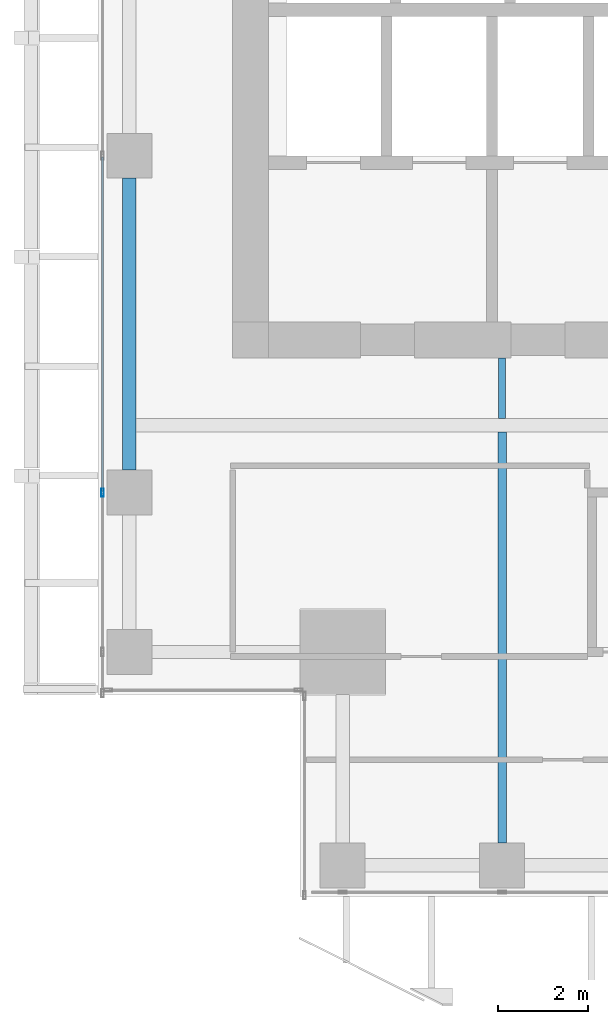
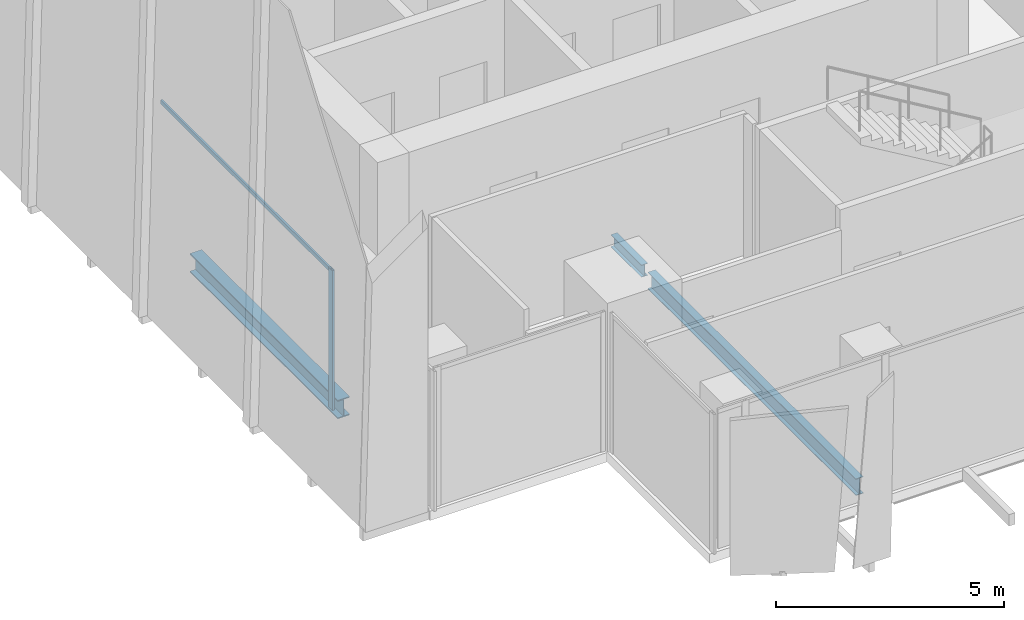
# One storey, part 4 of 35: 3 beams, 2 members, 1 element without a shape of its own.
"""IFC4 building model written with IfcOpenShell, lengths in metres."""

from ifc_helpers import new_model, si_unit, direction, frame, origin, origin_2d, place, context, subcontext, project, spatial, hollow_rectangle, i_section, extrude, source, transform, mapped, material, material_profile, profile_set, type_object, element, aggregate, save


model = new_model("IFC4")

# Units and contexts
model_context = context("Model", 3, precision=1e-05, world=origin(), true_north=direction((0.0, 1.0)))
body_context = subcontext(model_context, "Body", "Model", "MODEL_VIEW")
ifc_project = project(units=[si_unit("LENGTHUNIT", "METRE"), si_unit("AREAUNIT", "SQUARE_METRE"), si_unit("VOLUMEUNIT", "CUBIC_METRE"), si_unit("PLANEANGLEUNIT", "RADIAN"), si_unit("MASSUNIT", "GRAM", prefix="KILO")], contexts=[model_context])

# Site, building, storey
site_placement = place(None, origin())
site = spatial("IfcSite", under=ifc_project, at=site_placement, CompositionType="ELEMENT")
building_placement = place(site_placement, origin())
building = spatial("IfcBuilding", under=site, at=building_placement, Name="Khomas Fold Tower", CompositionType="ELEMENT")
storey_placement = place(building_placement, frame((0.0, 0.0, 200.699951171875)))
storey = spatial("IfcBuildingStorey", under=building, at=storey_placement, Name="L44", CompositionType="ELEMENT", Elevation=200.699951171875)

# Beams
ifc_material_1 = material(Name="Steel S355", Category="steel")
ifc_material_profile_1 = material_profile(ifc_material_1, i_section(OverallWidth=0.300048828125, OverallDepth=0.5, WebThickness=0.014404296875, FlangeThickness=0.028076171875, at=origin_2d()), Name="HE 500 B")
ifc_profile_set_1 = profile_set([ifc_material_profile_1], Name="Steel S355")
beam_type_1 = type_object("IfcBeamType", Name="HE 500 B spandrel SB3", PredefinedType="SPANDREL", material=ifc_profile_set_1)
shared_shape_1 = source(origin(), body_context, "Body", "SweptSolid", [
    extrude(i_section(OverallWidth=0.300048828125, OverallDepth=0.5, WebThickness=0.014404296875, FlangeThickness=0.028076171875, at=origin_2d()), origin(), (0.0, 0.0, 1.0), 6.5),
])
beam_1_placement = place(storey_placement, frame((3.699951171875, 12.5, -0.5), z_axis=(0.0, 1.0, 0.0), x_axis=(-1.0, 0.0, 0.0)))
element("IfcBeam", 1, at=beam_1_placement, inside=storey, type_object=beam_type_1, Name="SB3", PredefinedType="SPANDREL", context=body_context, shape_type="MappedRepresentation", body=[
    mapped(shared_shape_1, transform((0.0, 0.0, 0.0))),
])
ifc_material_2 = material(Name="Steel S355", Category="steel")
ifc_material_profile_2 = material_profile(ifc_material_2, i_section(OverallWidth=0.18994140625, OverallDepth=0.449951171875, WebThickness=0.009521484375, FlangeThickness=0.0146484375, at=origin_2d()), Name="IPE 450")
ifc_profile_set_2 = profile_set([ifc_material_profile_2], Name="Steel S355")
beam_type_2 = type_object("IfcBeamType", Name="IPE 450 beam JB4", PredefinedType="BEAM", material=ifc_profile_set_2)
shared_shape_2 = source(origin(), body_context, "Body", "SweptSolid", [
    extrude(i_section(OverallWidth=0.18994140625, OverallDepth=0.449951171875, WebThickness=0.009521484375, FlangeThickness=0.0146484375, at=origin_2d()), origin(), (0.0, 0.0, 1.0), 9.150146484375),
])
beam_2_placement = place(storey_placement, frame((12.0, 4.199951171875, -0.474853515625), z_axis=(0.0, 1.0, 0.0), x_axis=(-1.0, 0.0, 0.0)))
element("IfcBeam", 2, at=beam_2_placement, inside=storey, type_object=beam_type_2, Name="JB4", PredefinedType="BEAM", context=body_context, shape_type="MappedRepresentation", body=[
    mapped(shared_shape_2, transform((0.0, 0.0, 0.0))),
])
ifc_material_3 = material(Name="Steel S355", Category="steel")
ifc_material_profile_3 = material_profile(ifc_material_3, i_section(OverallWidth=0.159912109375, OverallDepth=0.330078125, WebThickness=0.007568359375, FlangeThickness=0.011474609375, at=origin_2d()), Name="IPE 330")
ifc_profile_set_3 = profile_set([ifc_material_profile_3], Name="Steel S355")
beam_type_3 = type_object("IfcBeamType", Name="IPE 330 beam JB1", PredefinedType="BEAM", material=ifc_profile_set_3)
shared_shape_3 = source(origin(), body_context, "Body", "SweptSolid", [
    extrude(i_section(OverallWidth=0.159912109375, OverallDepth=0.330078125, WebThickness=0.007568359375, FlangeThickness=0.011474609375, at=origin_2d()), origin(), (0.0, 0.0, 1.0), 1.35009765625),
])
beam_3_placement = place(storey_placement, frame((12.0, 13.64990234375, -0.4150390625), z_axis=(0.0, 1.0, 0.0), x_axis=(-1.0, 0.0, 0.0)))
element("IfcBeam", 3, at=beam_3_placement, inside=storey, type_object=beam_type_3, Name="JB1", PredefinedType="BEAM", context=body_context, shape_type="MappedRepresentation", body=[
    mapped(shared_shape_3, transform((0.0, 0.0, 0.0))),
])

# Curtain wall, members
ifc_material_4 = material(Name="Aluminium framed double glazing", Category="aluminium")
curtain_wall_type = type_object("IfcCurtainWallType", Name="SK-Unitised clear-glass wall, office floors CW2", PredefinedType="NOTDEFINED", material=ifc_material_4)
curtain_wall_placement = place(storey_placement, origin())
curtain_wall = element("IfcCurtainWall", 4, at=curtain_wall_placement, inside=storey, type_object=curtain_wall_type, Name="CW2 run L44 09-0", PredefinedType="NOTDEFINED")
ifc_material_5 = material(Name="Aluminium", Category="aluminium")
ifc_material_profile_4 = material_profile(ifc_material_5, hollow_rectangle(XDim=0.06005859375, YDim=0.179931640625, WallThickness=0.00390625, at=origin_2d()), Name="SK-Unitised clear-glass wall, office floors mullion CW2-M")
ifc_profile_set_4 = profile_set([ifc_material_profile_4], Name="Aluminium")
member_type_1 = type_object("IfcMemberType", Name="SK-Unitised clear-glass wall, office floors mullion CW2-M", PredefinedType="MULLION", material=ifc_profile_set_4)
shared_shape_4 = source(origin(), body_context, "Body", "SweptSolid", [
    extrude(hollow_rectangle(XDim=0.06005859375, YDim=0.179931640625, WallThickness=0.00390625, at=origin_2d()), origin(), (0.0, 0.0, 1.0), 3.75),
])
member_1_placement = place(storey_placement, frame((3.10009765625, 12.0, 0.0), z_axis=(0.0, 0.0, 1.0), x_axis=(1.0, 0.0, 0.0)))
member_1 = element("IfcMember", 5, at=member_1_placement, type_object=member_type_1, Name="CW2 mullion 7", PredefinedType="MULLION", context=body_context, shape_type="MappedRepresentation", body=[
    mapped(shared_shape_4, transform((0.0, 0.0, 0.0))),
])
ifc_material_6 = material(Name="Aluminium", Category="aluminium")
ifc_material_profile_5 = material_profile(ifc_material_6, hollow_rectangle(XDim=0.050048828125, YDim=0.110107421875, WallThickness=0.00390625, at=origin_2d()), Name="SK-Unitised clear-glass wall, office floors transom CW2-T")
ifc_profile_set_5 = profile_set([ifc_material_profile_5], Name="Aluminium")
member_type_2 = type_object("IfcMemberType", Name="SK-Unitised clear-glass wall, office floors transom CW2-T", PredefinedType="USERDEFINED", material=ifc_profile_set_5)
shared_shape_5 = source(origin(), body_context, "Body", "SweptSolid", [
    extrude(hollow_rectangle(XDim=0.050048828125, YDim=0.110107421875, WallThickness=0.00390625, at=origin_2d()), origin(), (0.0, 0.0, 1.0), 7.43994140625),
])
member_2_placement = place(storey_placement, frame((3.10009765625, 19.469970703125, 3.695068359375), z_axis=(0.0, -1.0, 0.0), x_axis=(1.0, 0.0, 0.0)))
member_2 = element("IfcMember", 6, at=member_2_placement, type_object=member_type_2, Name="CW2 transom 6", ObjectType="TRANSOM", PredefinedType="USERDEFINED", context=body_context, shape_type="MappedRepresentation", body=[
    mapped(shared_shape_5, transform((0.0, 0.0, 0.0))),
])
aggregate(curtain_wall, [member_1, member_2])

save(model, "model.ifc")
